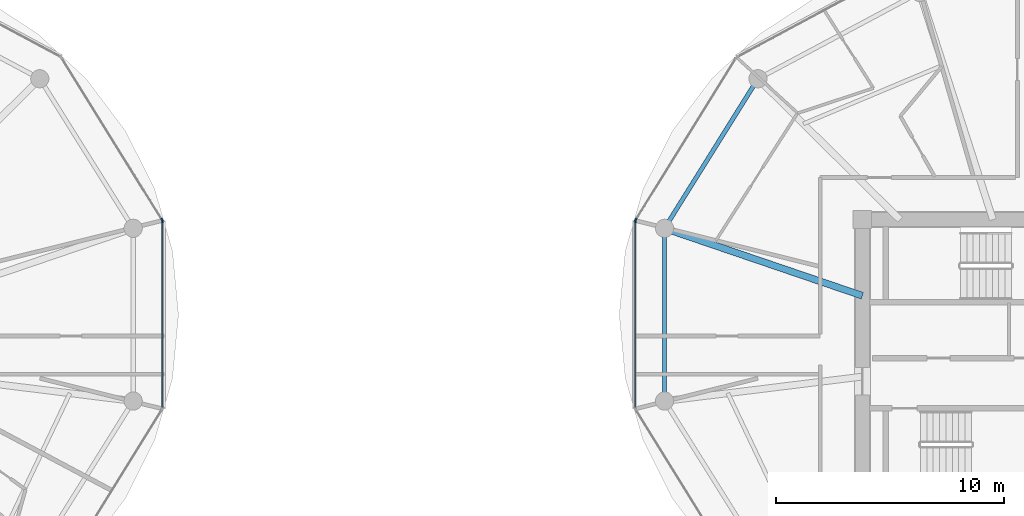
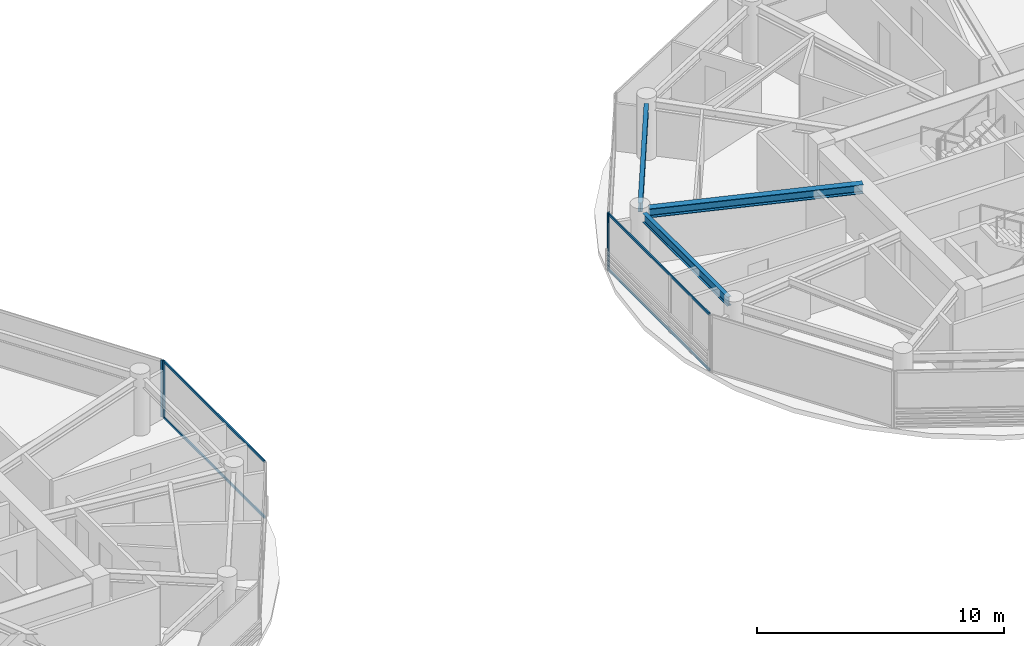
# One storey, part 7 of 23: 8 members, 3 beams, 4 elements without a shape of their own.
"""IFC4 building model written with IfcOpenShell, lengths in metres."""

from ifc_helpers import new_model, si_unit, direction, frame, origin, origin_2d, place, context, subcontext, project, spatial, rectangle, i_section, extrude, source, transform, mapped, material, layer, layer_set, material_profile, profile_set, type_object, type_shapes, element, aggregate, save


model = new_model("IFC4")

# Units and contexts
model_context = context("Model", 3, precision=1e-05, world=origin(), true_north=direction((0.0, 1.0)))
body_context = subcontext(model_context, "Body", "Model", "MODEL_VIEW")
ifc_project = project(units=[si_unit("LENGTHUNIT", "METRE"), si_unit("AREAUNIT", "SQUARE_METRE"), si_unit("VOLUMEUNIT", "CUBIC_METRE"), si_unit("PLANEANGLEUNIT", "RADIAN"), si_unit("MASSUNIT", "GRAM", prefix="KILO")], contexts=[model_context])

# Site, building, storey
site_placement = place(None, origin())
site = spatial("IfcSite", under=ifc_project, at=site_placement, CompositionType="ELEMENT")
building_placement = place(site_placement, origin())
building = spatial("IfcBuilding", under=site, at=building_placement, Name="Norrkilde Senior Care Towers", CompositionType="ELEMENT")
storey_placement = place(building_placement, frame((0.0, 0.0, 158.699951171875)))
storey = spatial("IfcBuildingStorey", under=building, at=storey_placement, Name="L49", CompositionType="ELEMENT", Elevation=158.699951171875)

# Beams
ifc_material_1 = material(Name="Steel S355", Category="steel")
ifc_material_profile_1 = material_profile(ifc_material_1, i_section(OverallWidth=0.18994140625, OverallDepth=0.449951171875, WebThickness=0.009521484375, FlangeThickness=0.0146484375, FilletRadius=0.02099609375, at=origin_2d()), Name="IPE 450")
ifc_profile_set_1 = profile_set([ifc_material_profile_1], Name="Steel S355")
beam_type_1 = type_object("IfcBeamType", Name="Perimeter Ring Spandrel Z3 IPE450", PredefinedType="SPANDREL", material=ifc_profile_set_1)
shared_shape_1 = source(origin(), body_context, "Body", "SweptSolid", [
    extrude(i_section(OverallWidth=0.18994140625, OverallDepth=0.449951171875, WebThickness=0.009521484375, FlangeThickness=0.0146484375, FilletRadius=0.02099609375, at=origin_2d()), origin(), (0.0, 0.0, 1.0), 7.0234375),
])
beam_1_placement = place(storey_placement, frame((15.57666015625, 11.8291015625, 2.5849609375), z_axis=(-0.529789577822, -0.848129119433, 0.0), x_axis=(0.848129119433, -0.529789577822, 0.0)))
element("IfcBeam", 1, at=beam_1_placement, inside=storey, type_object=beam_type_1, Name="L49 Drum E Perimeter Spandrel 05", PredefinedType="SPANDREL", context=body_context, shape_type="MappedRepresentation", body=[
    mapped(shared_shape_1, transform((0.0, 0.0, 0.0), x_axis=(1.0, 0.0, 0.0), y_axis=(0.0, 1.0, 0.0), z_axis=(0.0, 0.0, 1.0), scale=1.0)),
])
ifc_material_profile_2 = material_profile(ifc_material_1, i_section(OverallWidth=0.300048828125, OverallDepth=0.449951171875, WebThickness=0.013916015625, FlangeThickness=0.02587890625, FilletRadius=0.027099609375, at=origin_2d()), Name="HEB 450")
ifc_profile_set_2 = profile_set([ifc_material_profile_2], Name="Steel S355")
beam_type_2 = type_object("IfcBeamType", Name="Radial Floor Beam Z3 HEB450", PredefinedType="BEAM", material=ifc_profile_set_2)
shared_shape_2 = source(origin(), body_context, "Body", "SweptSolid", [
    extrude(i_section(OverallWidth=0.300048828125, OverallDepth=0.449951171875, WebThickness=0.013916015625, FlangeThickness=0.02587890625, FilletRadius=0.027099609375, at=origin_2d()), origin(), (0.0, 0.0, 1.0), 8.8154296875),
])
type_shapes(beam_type_2, [shared_shape_2])
beam_2_placement = place(storey_placement, frame((20.35009765625, 2.607177734375, 2.5849609375), z_axis=(-0.946540556878, 0.322584832539, 0.0), x_axis=(-0.322584832539, -0.946540556878, 0.0)))
element("IfcBeam", 2, at=beam_2_placement, inside=storey, type_object=beam_type_2, Name="L49 Drum E Radial Floor Beam 06", PredefinedType="BEAM", context=body_context, shape_type="MappedRepresentation", body=[
    mapped(shared_shape_2, transform((0.0, 0.0, 0.0), x_axis=(1.0, 0.0, 0.0), y_axis=(0.0, 1.0, 0.0), z_axis=(0.0, 0.0, 1.0), scale=1.0)),
])
shared_shape_3 = source(origin(), body_context, "Body", "SweptSolid", [
    extrude(i_section(OverallWidth=0.18994140625, OverallDepth=0.449951171875, WebThickness=0.009521484375, FlangeThickness=0.0146484375, FilletRadius=0.02099609375, at=origin_2d()), origin(), (0.0, 0.0, 1.0), 6.86328125),
])
type_shapes(beam_type_1, [shared_shape_1, shared_shape_3])
beam_3_placement = place(storey_placement, frame((11.6650390625, 5.20703125, 2.5849609375), z_axis=(0.0, -1.0, 0.0), x_axis=(1.0, 0.0, 0.0)))
element("IfcBeam", 3, at=beam_3_placement, inside=storey, type_object=beam_type_1, Name="L49 Drum E Perimeter Spandrel 06", PredefinedType="SPANDREL", context=body_context, shape_type="MappedRepresentation", body=[
    mapped(shared_shape_3, transform((0.0, 0.0, 0.0), x_axis=(1.0, 0.0, 0.0), y_axis=(0.0, 1.0, 0.0), z_axis=(0.0, 0.0, 1.0), scale=1.0)),
])

# Curtain wall, member
ifc_material_2 = material(Name="Triple Low-E Insulated Glazing", Category="glass")
ifc_layer = layer(ifc_material_2, 0.18994140625)
ifc_layer_set = layer_set([ifc_layer], Name="Triple Low-E Insulated Glazing")
curtain_wall_type = type_object("IfcCurtainWallType", Name="CW4 Zone 3 Senior Residence Curtain Wall", PredefinedType="NOTDEFINED", material=ifc_layer_set)
curtain_wall_1_placement = place(storey_placement, origin())
curtain_wall_1 = element("IfcCurtainWall", 4, at=curtain_wall_1_placement, inside=storey, type_object=curtain_wall_type, Name="L49 Drum W Curtain Wall 00", PredefinedType="NOTDEFINED")
ifc_material_3 = material(Name="Anodised Aluminium", Category="aluminium")
ifc_material_profile_3 = material_profile(ifc_material_3, rectangle(XDim=0.06494140625, YDim=0.14990234375, at=origin_2d()), Name="ALU MULL 65x150")
ifc_profile_set_3 = profile_set([ifc_material_profile_3], Name="Anodised Aluminium")
member_type_1 = type_object("IfcMemberType", Name="Curtain Wall Mullion Z3-Z4 65x150", PredefinedType="MULLION", material=ifc_profile_set_3)
shared_shape_4 = source(origin(), body_context, "Body", "SweptSolid", [
    extrude(rectangle(XDim=0.06494140625, YDim=0.14990234375, at=origin_2d()), origin(), (0.0, 0.0, 1.0), 2.81005859375),
])
type_shapes(member_type_1, [shared_shape_4])
member_1_placement = place(storey_placement, frame((-10.3974609375, 5.93896484375, 0.0), z_axis=(0.0, 0.0, 1.0), x_axis=(0.84963405474, 0.52737270789, 0.0)))
member_1 = element("IfcMember", 5, at=member_1_placement, type_object=member_type_1, Name="CW-4 mullion 2", PredefinedType="MULLION", context=body_context, shape_type="MappedRepresentation", body=[
    mapped(shared_shape_4, transform((0.0, 0.0, 0.0), x_axis=(1.0, 0.0, 0.0), y_axis=(0.0, 1.0, 0.0), z_axis=(0.0, 0.0, 1.0), scale=1.0)),
])
aggregate(curtain_wall_1, [member_1])

curtain_wall_2_placement = place(storey_placement, origin())
curtain_wall_2 = element("IfcCurtainWall", 6, at=curtain_wall_2_placement, inside=storey, type_object=curtain_wall_type, Name="L49 Drum W Curtain Wall 11", PredefinedType="NOTDEFINED")
member_2_placement = place(storey_placement, frame((-10.38037109375, 5.878662109375, 0.0), z_axis=(0.0, 0.0, 1.0), x_axis=(1.0, 0.0, 0.0)))
member_2 = element("IfcMember", 7, at=member_2_placement, type_object=member_type_1, Name="CW-4 mullion 1", PredefinedType="MULLION", context=body_context, shape_type="MappedRepresentation", body=[
    mapped(shared_shape_4, transform((0.0, 0.0, 0.0), x_axis=(1.0, 0.0, 0.0), y_axis=(0.0, 1.0, 0.0), z_axis=(0.0, 0.0, 1.0), scale=1.0)),
])

curtain_wall_3_placement = place(storey_placement, origin())
curtain_wall_3 = element("IfcCurtainWall", 8, at=curtain_wall_3_placement, inside=storey, type_object=curtain_wall_type, Name="L49 Drum E Curtain Wall 04", PredefinedType="NOTDEFINED")
member_3_placement = place(storey_placement, frame((10.3974609375, 5.93896484375, 0.0), z_axis=(0.0, 0.0, 1.0), x_axis=(-0.84963405474, 0.52737270789, 0.0)))
member_3 = element("IfcMember", 9, at=member_3_placement, type_object=member_type_1, Name="CW-4 mullion 1", PredefinedType="MULLION", context=body_context, shape_type="MappedRepresentation", body=[
    mapped(shared_shape_4, transform((0.0, 0.0, 0.0), x_axis=(1.0, 0.0, 0.0), y_axis=(0.0, 1.0, 0.0), z_axis=(0.0, 0.0, 1.0), scale=1.0)),
])
aggregate(curtain_wall_3, [member_3])

curtain_wall_4_placement = place(storey_placement, origin())
curtain_wall_4 = element("IfcCurtainWall", 10, at=curtain_wall_4_placement, inside=storey, type_object=curtain_wall_type, Name="L49 Drum E Curtain Wall 05", PredefinedType="NOTDEFINED")
member_4_placement = place(storey_placement, frame((10.38037109375, 5.878662109375, 0.0), z_axis=(0.0, 0.0, 1.0), x_axis=(-1.0, 0.0, 0.0)))
member_4 = element("IfcMember", 11, at=member_4_placement, type_object=member_type_1, Name="CW-4 mullion 2", PredefinedType="MULLION", context=body_context, shape_type="MappedRepresentation", body=[
    mapped(shared_shape_4, transform((0.0, 0.0, 0.0), x_axis=(1.0, 0.0, 0.0), y_axis=(0.0, 1.0, 0.0), z_axis=(0.0, 0.0, 1.0), scale=1.0)),
])

# Member
ifc_material_profile_4 = material_profile(ifc_material_3, rectangle(XDim=0.06005859375, YDim=0.1201171875, at=origin_2d()), Name="ALU TRAN 60x120")
ifc_profile_set_4 = profile_set([ifc_material_profile_4], Name="Anodised Aluminium")
member_type_2 = type_object("IfcMemberType", Name="Curtain Wall Transom Typical 60x120", PredefinedType="USERDEFINED", material=ifc_profile_set_4)
shared_shape_5 = source(origin(), body_context, "Body", "SweptSolid", [
    extrude(rectangle(XDim=0.06005859375, YDim=0.1201171875, at=origin_2d()), origin(), (0.0, 0.0, 1.0), 8.141845703125),
])
type_shapes(member_type_2, [shared_shape_5])
member_5_placement = place(storey_placement, frame((-10.38037109375, 5.84619140625, 0.030029296875), z_axis=(0.0, -1.0, 0.0), x_axis=(1.0, 0.0, 0.0)))
member_5 = element("IfcMember", 12, at=member_5_placement, type_object=member_type_2, Name="CW-4 transom 1.1", ObjectType="TRANSOM", PredefinedType="USERDEFINED", context=body_context, shape_type="MappedRepresentation", body=[
    mapped(shared_shape_5, transform((0.0, 0.0, 0.0), x_axis=(1.0, 0.0, 0.0), y_axis=(0.0, 1.0, 0.0), z_axis=(0.0, 0.0, 1.0), scale=1.0)),
])

member_6_placement = place(storey_placement, frame((-10.38037109375, 5.84619140625, 2.780029296875), z_axis=(0.0, -1.0, 0.0), x_axis=(1.0, 0.0, 0.0)))
member_6 = element("IfcMember", 13, at=member_6_placement, type_object=member_type_2, Name="CW-4 transom 1.2", ObjectType="TRANSOM", PredefinedType="USERDEFINED", context=body_context, shape_type="MappedRepresentation", body=[
    mapped(shared_shape_5, transform((0.0, 0.0, 0.0), x_axis=(1.0, 0.0, 0.0), y_axis=(0.0, 1.0, 0.0), z_axis=(0.0, 0.0, 1.0), scale=1.0)),
])

aggregate(curtain_wall_2, [member_2, member_5, member_6])

member_7_placement = place(storey_placement, frame((10.38037109375, -2.295654296875, 0.030029296875), z_axis=(0.0, 1.0, 0.0), x_axis=(-1.0, 0.0, 0.0)))
member_7 = element("IfcMember", 14, at=member_7_placement, type_object=member_type_2, Name="CW-4 transom 1.1", ObjectType="TRANSOM", PredefinedType="USERDEFINED", context=body_context, shape_type="MappedRepresentation", body=[
    mapped(shared_shape_5, transform((0.0, 0.0, 0.0), x_axis=(1.0, 0.0, 0.0), y_axis=(0.0, 1.0, 0.0), z_axis=(0.0, 0.0, 1.0), scale=1.0)),
])

member_8_placement = place(storey_placement, frame((10.38037109375, -2.295654296875, 2.780029296875), z_axis=(0.0, 1.0, 0.0), x_axis=(-1.0, 0.0, 0.0)))
member_8 = element("IfcMember", 15, at=member_8_placement, type_object=member_type_2, Name="CW-4 transom 1.2", ObjectType="TRANSOM", PredefinedType="USERDEFINED", context=body_context, shape_type="MappedRepresentation", body=[
    mapped(shared_shape_5, transform((0.0, 0.0, 0.0), x_axis=(1.0, 0.0, 0.0), y_axis=(0.0, 1.0, 0.0), z_axis=(0.0, 0.0, 1.0), scale=1.0)),
])

aggregate(curtain_wall_4, [member_4, member_7, member_8])

save(model, "model.ifc")
